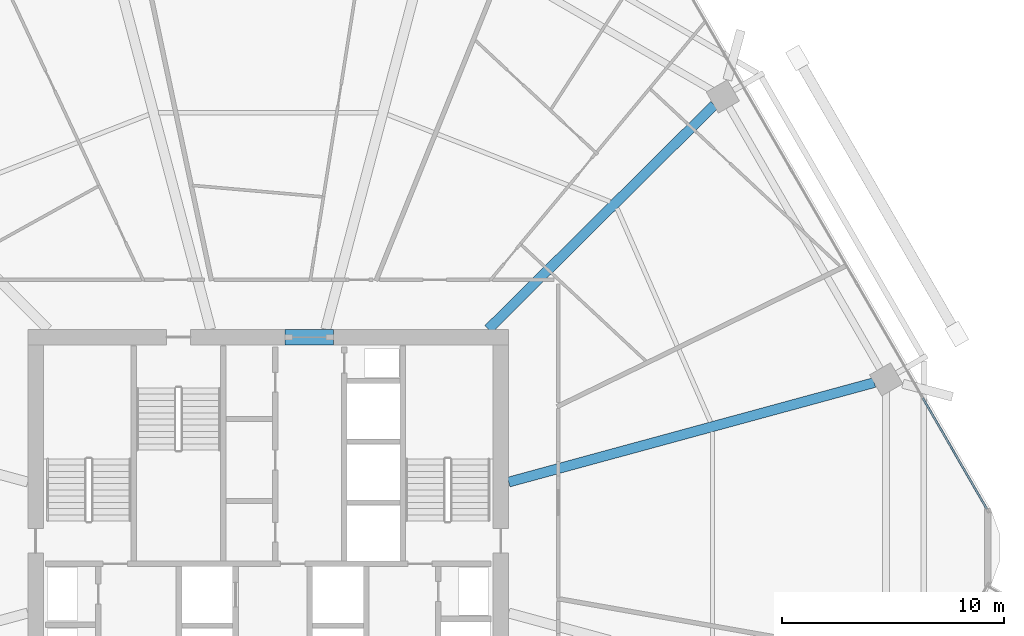
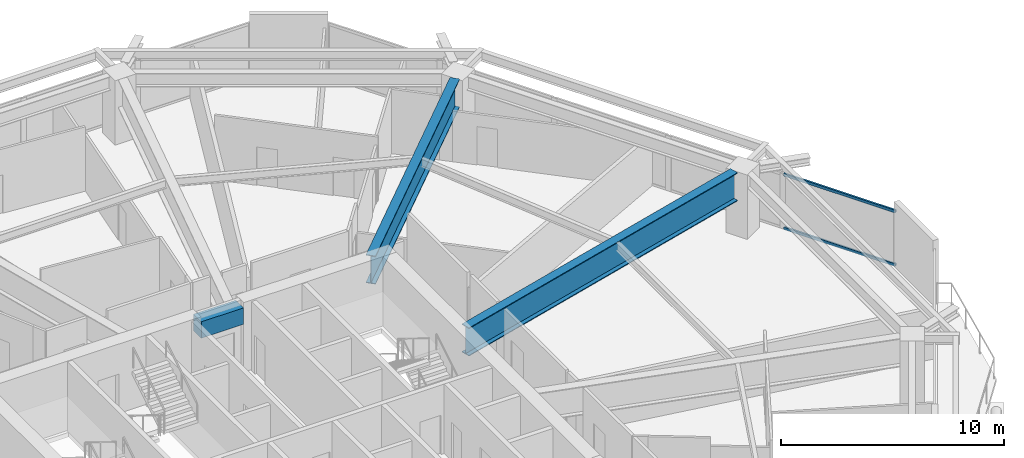
# One storey, part 19 of 33: 3 beams, 2 members, 1 element without a shape of its own.
"""IFC4 building model written with IfcOpenShell, lengths in metres."""

from ifc_helpers import new_model, si_unit, direction, frame, origin, origin_2d, place, context, subcontext, project, spatial, rectangle, hollow_rectangle, i_section, extrude, material, material_profile, profile_set, type_object, element, aggregate, save


model = new_model("IFC4")

# Units and contexts
model_context = context("Model", 3, precision=1e-05, world=origin(), true_north=direction((0.0, 1.0)))
body_context = subcontext(model_context, "Body", "Model", "MODEL_VIEW")
ifc_project = project(units=[si_unit("LENGTHUNIT", "METRE"), si_unit("AREAUNIT", "SQUARE_METRE"), si_unit("VOLUMEUNIT", "CUBIC_METRE"), si_unit("PLANEANGLEUNIT", "RADIAN"), si_unit("MASSUNIT", "GRAM", prefix="KILO")], contexts=[model_context])

# Site, building, storey
site_placement = place(None, origin())
site = spatial("IfcSite", under=ifc_project, at=site_placement, CompositionType="ELEMENT")
building_placement = place(site_placement, origin())
building = spatial("IfcBuilding", under=site, at=building_placement, Name="Zuhravey Tower", CompositionType="ELEMENT")
storey_placement = place(building_placement, frame((0.0, 0.0, 141.800048828125)))
storey = spatial("IfcBuildingStorey", under=building, at=storey_placement, Name="L35", CompositionType="ELEMENT", Elevation=141.800048828125)

# Beam
ifc_material_1 = material(Name="Concrete C60/75", Category="concrete")
ifc_material_profile_1 = material_profile(ifc_material_1, rectangle(XDim=0.699951171875, YDim=0.89990234375, at=origin_2d()), Name="RC-700x900")
ifc_profile_set_1 = profile_set([ifc_material_profile_1], Name="Concrete C60/75")
beam_type_1 = type_object("IfcBeamType", Name="Core Coupling Beam RC700x900", PredefinedType="LINTEL", material=ifc_profile_set_1)
beam_1_placement = place(storey_placement, frame((36.751953125, 41.5, 3.070068359375), z_axis=(1.0, 0.0, 0.0), x_axis=(0.0, 1.0, 0.0)))
element("IfcBeam", 1, at=beam_1_placement, inside=storey, type_object=beam_type_1, Name="L35 CB1 BM-L35-CB-N", PredefinedType="LINTEL", context=body_context, shape_type="SweptSolid", body=[
    extrude(rectangle(XDim=0.699951171875, YDim=0.89990234375, at=origin_2d()), origin(), (0.0, 0.0, 1.0), 2.196044921875),
])

# Curtain wall, members
ifc_material_2 = material(Name="Thermally broken anodised aluminium", Category="aluminium")
curtain_wall_type = type_object("IfcCurtainWallType", Name="Zone 1-2 Residential Curtain Wall CW3", PredefinedType="NOTDEFINED", material=ifc_material_2)
curtain_wall_placement = place(storey_placement, origin())
curtain_wall = element("IfcCurtainWall", 2, at=curtain_wall_placement, inside=storey, type_object=curtain_wall_type, Name="L35 CW3 CW-L35-F1-1", PredefinedType="NOTDEFINED")
ifc_material_3 = material(Name="Anodised aluminium", Category="aluminium")
ifc_material_profile_2 = material_profile(ifc_material_3, hollow_rectangle(XDim=0.090087890625, YDim=0.14990234375, WallThickness=0.0048828125, at=origin_2d()), Name="ALU-RHS-90x150x5")
ifc_profile_set_2 = profile_set([ifc_material_profile_2], Name="Anodised aluminium")
member_type = type_object("IfcMemberType", Name="Curtain-Wall Transom 90x150", PredefinedType="USERDEFINED", material=ifc_profile_set_2)
member_1_placement = place(storey_placement, frame((65.541015625, 38.750244140625, 0.044921875), z_axis=(0.500024450573, -0.866011286779, 0.0), x_axis=(0.866011286779, 0.500024450573, 0.0)))
member_1 = element("IfcMember", 3, at=member_1_placement, type_object=member_type, Name="CW3 transom 5.1", ObjectType="TRANSOM", PredefinedType="USERDEFINED", context=body_context, shape_type="SweptSolid", body=[
    extrude(hollow_rectangle(XDim=0.090087890625, YDim=0.14990234375, WallThickness=0.0048828125, at=origin_2d()), origin(), (0.0, 0.0, 1.0), 5.784912109375),
])
member_2_placement = place(storey_placement, frame((65.541015625, 38.750244140625, 2.974853515625), z_axis=(0.500024450573, -0.866011286779, 0.0), x_axis=(0.866011286779, 0.500024450573, 0.0)))
member_2 = element("IfcMember", 4, at=member_2_placement, type_object=member_type, Name="CW3 transom 5.2", ObjectType="TRANSOM", PredefinedType="USERDEFINED", context=body_context, shape_type="SweptSolid", body=[
    extrude(hollow_rectangle(XDim=0.090087890625, YDim=0.14990234375, WallThickness=0.0048828125, at=origin_2d()), origin(), (0.0, 0.0, 1.0), 5.784912109375),
])
aggregate(curtain_wall, [member_1, member_2])

# Beams
ifc_material_4 = material(Name="Steel SM460", Category="steel")
ifc_material_profile_3 = material_profile(ifc_material_4, i_section(OverallWidth=0.449951171875, OverallDepth=1.550048828125, WebThickness=0.02587890625, FlangeThickness=0.0419921875, at=origin_2d()), Name="H-1550x450x26x42")
ifc_profile_set_3 = profile_set([ifc_material_profile_3], Name="Steel SM460")
beam_type_2 = type_object("IfcBeamType", Name="Heavy Setback Transfer Girder H1550x450", PredefinedType="BEAM", material=ifc_profile_set_3)
beam_2_placement = place(storey_placement, frame((46.85302734375, 34.954345703125, 2.744873046875), z_axis=(0.964893166225, 0.262642680791, 0.0), x_axis=(-0.262642680791, 0.964893166225, 0.0)))
element("IfcBeam", 5, at=beam_2_placement, inside=storey, type_object=beam_type_2, Name="L35 TG3 BM-L35-RAD-01", PredefinedType="BEAM", context=body_context, shape_type="SweptSolid", body=[
    extrude(i_section(OverallWidth=0.449951171875, OverallDepth=1.550048828125, WebThickness=0.02587890625, FlangeThickness=0.0419921875, at=origin_2d()), origin(), (0.0, 0.0, 1.0), 17.102783203125),
])
beam_3_placement = place(storey_placement, frame((45.931396484375, 41.85302734375, 2.744873046875), z_axis=(0.709906230344, 0.704296204816, 0.0), x_axis=(-0.704296204816, 0.709906230344, 0.0)))
element("IfcBeam", 6, at=beam_3_placement, inside=storey, type_object=beam_type_2, Name="L35 TG3 BM-L35-RAD-02", PredefinedType="BEAM", context=body_context, shape_type="SweptSolid", body=[
    extrude(i_section(OverallWidth=0.449951171875, OverallDepth=1.550048828125, WebThickness=0.02587890625, FlangeThickness=0.0419921875, at=origin_2d()), origin(), (0.0, 0.0, 1.0), 14.361083984375),
])

save(model, "model.ifc")
